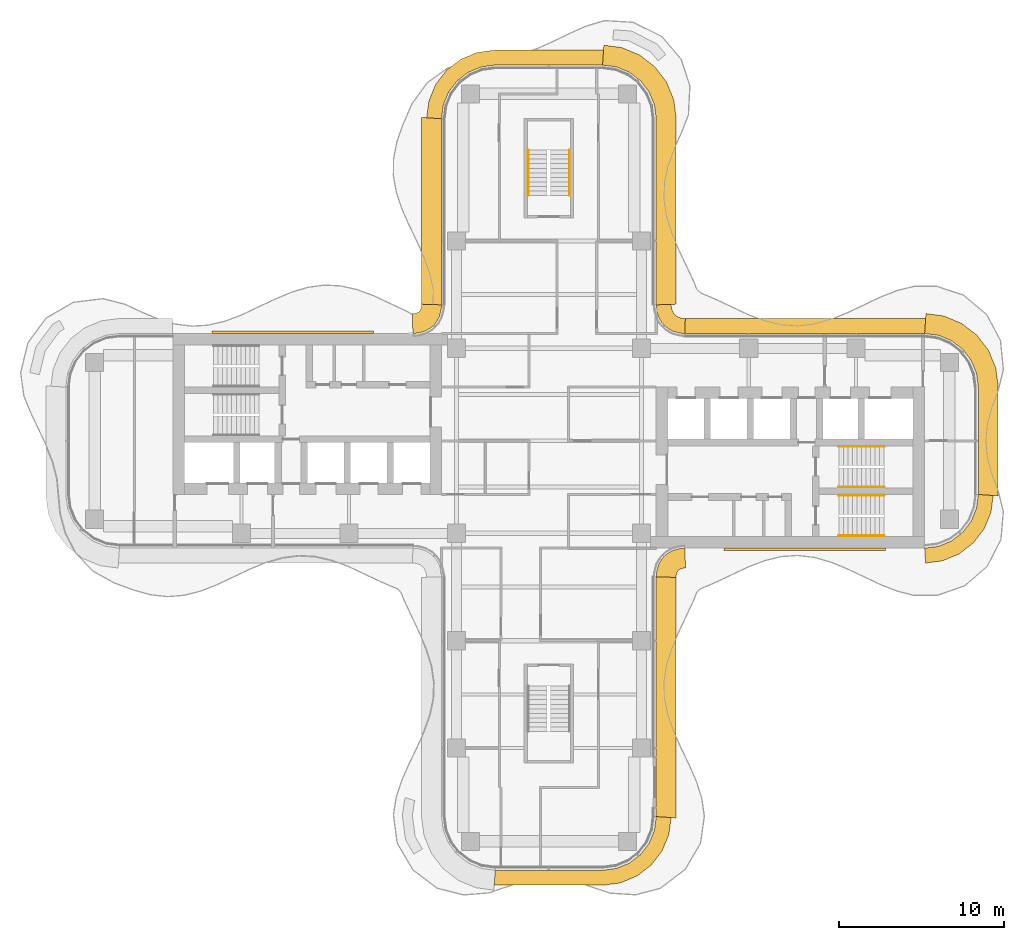
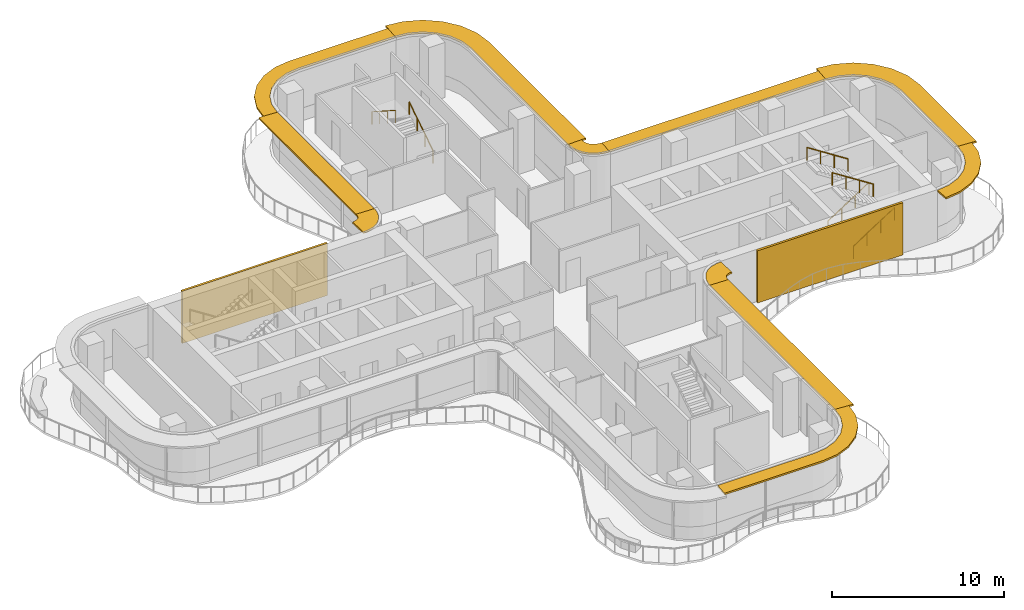
# One storey, part 17 of 17: 11 shading devices, 6 railings, 2 coverings.
"""IFC4 building model written with IfcOpenShell, lengths in metres."""

from ifc_helpers import new_model, si_unit, direction, frame, origin, origin_2d, place, context, subcontext, project, spatial, polyline, circle, outline, extrude, source, transform, mapped, material, layer, layer_set, type_object, element, save


model = new_model("IFC4")

# Units and contexts
model_context = context("Model", 3, precision=1e-05, world=origin(), true_north=direction((0.0, 1.0)))
body_context = subcontext(model_context, "Body", "Model", "MODEL_VIEW")
ifc_project = project(units=[si_unit("LENGTHUNIT", "METRE"), si_unit("AREAUNIT", "SQUARE_METRE"), si_unit("VOLUMEUNIT", "CUBIC_METRE"), si_unit("PLANEANGLEUNIT", "RADIAN"), si_unit("MASSUNIT", "GRAM", prefix="KILO")], contexts=[model_context])

# Site, building, storey
site_placement = place(None, origin())
site = spatial("IfcSite", under=ifc_project, at=site_placement, CompositionType="ELEMENT")
building_placement = place(site_placement, origin())
building = spatial("IfcBuilding", under=site, at=building_placement, Name="Trellis Farm Tower", CompositionType="ELEMENT")
storey_placement = place(building_placement, frame((0.0, 0.0, 236.300048828125)))
storey = spatial("IfcBuildingStorey", under=building, at=storey_placement, Name="L52", CompositionType="ELEMENT", Elevation=236.300048828125)

# Railings
ifc_material_1 = material(Name="Stainless steel", Category="steel")
railing_type = type_object("IfcRailingType", Name="STAIR HANDRAIL 900", PredefinedType="HANDRAIL", material=ifc_material_1)
shared_shape_1 = source(origin(), body_context, "Body", "SweptSolid", [
    extrude(circle(Radius=0.02392578125, at=origin_2d()), frame((0.0, 0.0, 0.8759765625), z_axis=(0.0, 0.840503830235, 0.541805602924), x_axis=(-1.0, 0.0, 0.0)), (0.0, 0.0, 1.0), 3.271728515625),
    extrude(circle(Radius=0.02099609375, at=origin_2d()), origin(), (0.0, 0.0, 1.0), 0.851806640625),
    extrude(circle(Radius=0.02099609375, at=origin_2d()), frame((0.0, 0.916748046875, 0.5908203125)), (0.0, 0.0, 1.0), 0.851806640625),
    extrude(circle(Radius=0.02099609375, at=origin_2d()), frame((0.0, 1.833251953125, 1.181884765625)), (0.0, 0.0, 1.0), 0.851806640625),
    extrude(circle(Radius=0.02099609375, at=origin_2d()), frame((0.0, 2.75, 1.772705078125)), (0.0, 0.0, 1.0), 0.851806640625),
])
railing_1_placement = place(storey_placement, frame((1.25, 14.85009765625, 0.17724609375)))
element("IfcRailing", 1, at=railing_1_placement, inside=storey, type_object=railing_type, Name="Stair handrail", PredefinedType="HANDRAIL", context=body_context, shape_type="MappedRepresentation", body=[
    mapped(shared_shape_1, transform((0.0, 0.0, 0.0))),
])
shared_shape_2 = source(origin(), body_context, "Body", "SweptSolid", [
    extrude(circle(Radius=0.02392578125, at=origin_2d()), frame((0.0, 0.0, 0.8759765625), z_axis=(0.0, -0.840503830235, 0.541805602924), x_axis=(1.0, 0.0, 0.0)), (0.0, 0.0, 1.0), 3.271728515625),
    extrude(circle(Radius=0.02099609375, at=origin_2d()), origin(), (0.0, 0.0, 1.0), 0.851806640625),
    extrude(circle(Radius=0.02099609375, at=origin_2d()), frame((0.0, -0.916748046875, 0.5908203125)), (0.0, 0.0, 1.0), 0.851806640625),
    extrude(circle(Radius=0.02099609375, at=origin_2d()), frame((0.0, -1.833251953125, 1.181884765625)), (0.0, 0.0, 1.0), 0.851806640625),
    extrude(circle(Radius=0.02099609375, at=origin_2d()), frame((0.0, -2.75, 1.772705078125)), (0.0, 0.0, 1.0), 0.851806640625),
])
railing_2_placement = place(storey_placement, frame((-1.25, 17.60009765625, 2.127197265625)))
element("IfcRailing", 2, at=railing_2_placement, inside=storey, type_object=railing_type, Name="Stair handrail", PredefinedType="HANDRAIL", context=body_context, shape_type="MappedRepresentation", body=[
    mapped(shared_shape_2, transform((0.0, 0.0, 0.0))),
])
shared_shape_3 = source(origin(), body_context, "Body", "SweptSolid", [
    extrude(circle(Radius=0.02392578125, at=origin_2d()), frame((0.0, 0.0, 0.8759765625), z_axis=(0.840503830235, 0.0, 0.541805602924), x_axis=(0.0, 1.0, 0.0)), (0.0, 0.0, 1.0), 3.271728515625),
    extrude(circle(Radius=0.02099609375, at=origin_2d()), origin(), (0.0, 0.0, 1.0), 0.851806640625),
    extrude(circle(Radius=0.02099609375, at=origin_2d()), frame((0.916748046875, 0.0, 0.5908203125)), (0.0, 0.0, 1.0), 0.851806640625),
    extrude(circle(Radius=0.02099609375, at=origin_2d()), frame((1.833251953125, 0.0, 1.181884765625)), (0.0, 0.0, 1.0), 0.851806640625),
    extrude(circle(Radius=0.02099609375, at=origin_2d()), frame((2.75, 0.0, 1.772705078125)), (0.0, 0.0, 1.0), 0.851806640625),
])
for number, where, name in (
    (3, (17.550048828125, -5.75, 0.17724609375), "Stair handrail"),
    (4, (17.550048828125, -2.800048828125, 0.17724609375), "Stair handrail"),
):
    element("IfcRailing", number, at=place(storey_placement, frame(where)), inside=storey, type_object=railing_type, Name=name, PredefinedType="HANDRAIL", context=body_context, shape_type="MappedRepresentation", body=[
        mapped(shared_shape_3, transform((0.0, 0.0, 0.0))),
    ])
shared_shape_4 = source(origin(), body_context, "Body", "SweptSolid", [
    extrude(circle(Radius=0.02392578125, at=origin_2d()), frame((0.0, 0.0, 0.8759765625), z_axis=(-0.840503830235, 0.0, 0.541805602924), x_axis=(0.0, -1.0, 0.0)), (0.0, 0.0, 1.0), 3.271728515625),
    extrude(circle(Radius=0.02099609375, at=origin_2d()), origin(), (0.0, 0.0, 1.0), 0.851806640625),
    extrude(circle(Radius=0.02099609375, at=origin_2d()), frame((-0.916748046875, 0.0, 0.5908203125)), (0.0, 0.0, 1.0), 0.851806640625),
    extrude(circle(Radius=0.02099609375, at=origin_2d()), frame((-1.833251953125, 0.0, 1.181884765625)), (0.0, 0.0, 1.0), 0.851806640625),
    extrude(circle(Radius=0.02099609375, at=origin_2d()), frame((-2.75, 0.0, 1.772705078125)), (0.0, 0.0, 1.0), 0.851806640625),
])
for number, where, name in (
    (5, (20.300048828125, -3.300048828125, 2.127197265625), "Stair handrail"),
    (6, (20.300048828125, -0.35009765625, 2.127197265625), "Stair handrail"),
):
    element("IfcRailing", number, at=place(storey_placement, frame(where)), inside=storey, type_object=railing_type, Name=name, PredefinedType="HANDRAIL", context=body_context, shape_type="MappedRepresentation", body=[
        mapped(shared_shape_4, transform((0.0, 0.0, 0.0))),
    ])

# Shading devices
ifc_material_2 = material(Name="Aluminium extrusion 6063-T6", Category="aluminium")
ifc_layer_1 = layer(ifc_material_2, 0.1201171875)
ifc_layer_set_1 = layer_set([ifc_layer_1], Name="SUNSHADE BLADE 1200")
shading_device_type_1 = type_object("IfcShadingDeviceType", Name="SUNSHADE BLADE 1200", PredefinedType="USERDEFINED", material=ifc_layer_set_1)
shared_shape_5 = source(origin(), body_context, "Body", "SweptSolid", [
    extrude(outline(polyline([(7.699951171875, -8.270751953125), (7.708740234375, -8.13720703125), (7.70703125, -8.150146484375), (7.7548828125, -7.9716796875), (7.80712890625, -7.881103515625), (7.881103515625, -7.80712890625), (7.9716796875, -7.7548828125), (8.150146484375, -7.70703125), (8.13720703125, -7.708740234375), (8.270751953125, -7.699951171875), (8.2314453125, -6.5), (8.01953125, -6.513916015625), (7.91552734375, -6.527587890625), (7.508544921875, -6.63671875), (7.144287109375, -6.846923828125), (6.846923828125, -7.144287109375), (6.63671875, -7.508544921875), (6.527587890625, -7.91552734375), (6.513916015625, -8.01953125), (6.5, -8.2314453125), (7.699951171875, -8.270751953125)])), origin(), (0.0, 0.0, 1.0), 0.119873046875),
])
placement_1 = place(storey_placement, frame((0.0, 0.0, 3.5400390625)))
element("IfcShadingDevice", 7, at=placement_1, inside=storey, type_object=shading_device_type_1, Name="SD2 006", ObjectType="SUNSHADE", PredefinedType="USERDEFINED", context=body_context, shape_type="MappedRepresentation", body=[
    mapped(shared_shape_5, transform((0.0, 0.0, 0.0))),
])
ifc_layer_2 = layer(ifc_material_2, 0.1201171875)
ifc_layer_set_2 = layer_set([ifc_layer_2], Name="SUNSHADE BLADE 900")
shading_device_type_2 = type_object("IfcShadingDeviceType", Name="SUNSHADE BLADE 900", PredefinedType="USERDEFINED", material=ifc_layer_set_2)
shared_shape_6 = source(origin(), body_context, "Body", "SweptSolid", [
    extrude(outline(polyline([(8.2607421875, 7.39990234375), (8.107666015625, 7.409912109375), (8.091552734375, 7.412109375), (7.85595703125, 7.475341796875), (7.697021484375, 7.567138671875), (7.567138671875, 7.697021484375), (7.475341796875, 7.85595703125), (7.412109375, 8.091552734375), (7.409912109375, 8.107666015625), (7.39990234375, 8.2607421875), (6.5, 8.2314453125), (6.513916015625, 8.01953125), (6.527587890625, 7.91552734375), (6.63671875, 7.508544921875), (6.846923828125, 7.144287109375), (7.144287109375, 6.846923828125), (7.508544921875, 6.63671875), (7.91552734375, 6.527587890625), (8.01953125, 6.513916015625), (8.2314453125, 6.5), (8.2607421875, 7.39990234375)])), origin(), (0.0, 0.0, 1.0), 0.119873046875),
])
element("IfcShadingDevice", 8, at=placement_1, inside=storey, type_object=shading_device_type_2, Name="SD1 010", ObjectType="SUNSHADE", PredefinedType="USERDEFINED", context=body_context, shape_type="MappedRepresentation", body=[
    mapped(shared_shape_6, transform((0.0, 0.0, 0.0))),
])
shared_shape_7 = source(origin(), body_context, "Body", "SweptSolid", [
    extrude(outline(polyline([(-7.699951171875, 8.270751953125), (-7.708740234375, 8.13720703125), (-7.70703125, 8.150146484375), (-7.7548828125, 7.9716796875), (-7.80712890625, 7.881103515625), (-7.881103515625, 7.80712890625), (-7.9716796875, 7.7548828125), (-8.150146484375, 7.70703125), (-8.13720703125, 7.708740234375), (-8.270751953125, 7.699951171875), (-8.2314453125, 6.5), (-8.01953125, 6.513916015625), (-7.91552734375, 6.527587890625), (-7.508544921875, 6.63671875), (-7.144287109375, 6.846923828125), (-6.846923828125, 7.144287109375), (-6.63671875, 7.508544921875), (-6.527587890625, 7.91552734375), (-6.513916015625, 8.01953125), (-6.5, 8.2314453125), (-7.699951171875, 8.270751953125)])), origin(), (0.0, 0.0, 1.0), 0.119873046875),
])
element("IfcShadingDevice", 9, at=placement_1, inside=storey, type_object=shading_device_type_1, Name="SD2 014", ObjectType="SUNSHADE", PredefinedType="USERDEFINED", context=body_context, shape_type="MappedRepresentation", body=[
    mapped(shared_shape_7, transform((0.0, 0.0, 0.0))),
])
shared_shape_8 = source(origin(), body_context, "Body", "SweptSolid", [
    extrude(outline(polyline([(-3.30908203125, -26.89990234375), (3.30908203125, -26.89990234375), (4.326171875, -26.76611328125), (5.328857421875, -26.350830078125), (6.18994140625, -25.68994140625), (6.850830078125, -24.828857421875), (7.26611328125, -23.826171875), (7.39990234375, -22.80908203125), (6.5, -22.75), (6.38916015625, -23.591064453125), (6.064697265625, -24.375), (5.548095703125, -25.048095703125), (4.875, -25.564697265625), (4.091064453125, -25.88916015625), (3.25, -26.0), (-3.25, -26.0), (-3.30908203125, -26.89990234375)])), origin(), (0.0, 0.0, 1.0), 0.119873046875),
])
element("IfcShadingDevice", 10, at=placement_1, inside=storey, type_object=shading_device_type_2, Name="SD1 004", ObjectType="SUNSHADE", PredefinedType="USERDEFINED", context=body_context, shape_type="MappedRepresentation", body=[
    mapped(shared_shape_8, transform((0.0, 0.0, 0.0))),
])
shared_shape_9 = source(origin(), body_context, "Body", "SweptSolid", [
    extrude(outline(polyline([(7.699951171875, -22.82861328125), (7.699951171875, -8.270751953125), (6.5, -8.2314453125), (6.5, -22.75), (7.699951171875, -22.82861328125)])), origin(), (0.0, 0.0, 1.0), 0.119873046875),
])
element("IfcShadingDevice", 11, at=placement_1, inside=storey, type_object=shading_device_type_1, Name="SD2 005", ObjectType="SUNSHADE", PredefinedType="USERDEFINED", context=body_context, shape_type="MappedRepresentation", body=[
    mapped(shared_shape_9, transform((0.0, 0.0, 0.0))),
])

# Covering
ifc_material_3 = material(Name="Perforated precast screen (cobogo)", Category="concrete")
ifc_layer_3 = layer(ifc_material_3, 0.14990234375)
ifc_layer_set_3 = layer_set([ifc_layer_3], Name="COBOGO SCREEN PANEL")
covering_type = type_object("IfcCoveringType", Name="COBOGO SCREEN PANEL", PredefinedType="USERDEFINED", material=ifc_layer_set_3)
shared_shape_10 = source(origin(), body_context, "Body", "SweptSolid", [
    extrude(outline(polyline([(-10.630615234375, 6.64990234375), (-20.380615234375, 6.64990234375), (-20.380615234375, 6.5), (-10.630615234375, 6.5), (-10.630615234375, 6.64990234375)])), origin(), (0.0, 0.0, 1.0), 3.699951171875),
])
placement_2 = place(storey_placement, origin())
element("IfcCovering", 12, at=placement_2, inside=storey, type_object=covering_type, Name="SC1 02", ObjectType="SCREEN", PredefinedType="USERDEFINED", context=body_context, shape_type="MappedRepresentation", body=[
    mapped(shared_shape_10, transform((0.0, 0.0, 0.0))),
])

# Shading devices
shared_shape_11 = source(origin(), body_context, "Body", "SweptSolid", [
    extrude(outline(polyline([(7.699951171875, 8.270751953125), (7.699951171875, 19.57861328125), (7.558349609375, 20.654541015625), (7.11279296875, 21.730224609375), (6.404052734375, 22.654052734375), (5.480224609375, 23.36279296875), (4.404541015625, 23.808349609375), (3.32861328125, 23.949951171875), (3.25, 22.75), (4.091064453125, 22.63916015625), (4.875, 22.314697265625), (5.548095703125, 21.798095703125), (6.064697265625, 21.125), (6.38916015625, 20.341064453125), (6.5, 19.5), (6.5, 8.2314453125), (7.699951171875, 8.270751953125)])), origin(), (0.0, 0.0, 1.0), 0.119873046875),
])
element("IfcShadingDevice", 13, at=placement_1, inside=storey, type_object=shading_device_type_1, Name="SD2 011", ObjectType="SUNSHADE", PredefinedType="USERDEFINED", context=body_context, shape_type="MappedRepresentation", body=[
    mapped(shared_shape_11, transform((0.0, 0.0, 0.0))),
])
shared_shape_12 = source(origin(), body_context, "Body", "SweptSolid", [
    extrude(outline(polyline([(3.30908203125, 23.64990234375), (-3.30908203125, 23.64990234375), (-4.326171875, 23.51611328125), (-5.328857421875, 23.100830078125), (-6.18994140625, 22.43994140625), (-6.850830078125, 21.578857421875), (-7.26611328125, 20.576171875), (-7.39990234375, 19.55908203125), (-6.5, 19.5), (-6.38916015625, 20.341064453125), (-6.064697265625, 21.125), (-5.548095703125, 21.798095703125), (-4.875, 22.314697265625), (-4.091064453125, 22.63916015625), (-3.25, 22.75), (3.25, 22.75), (3.30908203125, 23.64990234375)])), origin(), (0.0, 0.0, 1.0), 0.119873046875),
])
element("IfcShadingDevice", 14, at=placement_1, inside=storey, type_object=shading_device_type_2, Name="SD1 012", ObjectType="SUNSHADE", PredefinedType="USERDEFINED", context=body_context, shape_type="MappedRepresentation", body=[
    mapped(shared_shape_12, transform((0.0, 0.0, 0.0))),
])
shared_shape_13 = source(origin(), body_context, "Body", "SweptSolid", [
    extrude(outline(polyline([(-7.699951171875, 19.57861328125), (-7.699951171875, 8.270751953125), (-6.5, 8.2314453125), (-6.5, 19.5), (-7.699951171875, 19.57861328125)])), origin(), (0.0, 0.0, 1.0), 0.119873046875),
])
element("IfcShadingDevice", 15, at=placement_1, inside=storey, type_object=shading_device_type_1, Name="SD2 013", ObjectType="SUNSHADE", PredefinedType="USERDEFINED", context=body_context, shape_type="MappedRepresentation", body=[
    mapped(shared_shape_13, transform((0.0, 0.0, 0.0))),
])

# Covering
shared_shape_14 = source(origin(), body_context, "Body", "SweptSolid", [
    extrude(outline(polyline([(10.61572265625, -6.64990234375), (20.36572265625, -6.64990234375), (20.36572265625, -6.5), (10.61572265625, -6.5), (10.61572265625, -6.64990234375)])), origin(), (0.0, 0.0, 1.0), 3.699951171875),
])
element("IfcCovering", 16, at=placement_2, inside=storey, type_object=covering_type, Name="SC1 01", ObjectType="SCREEN", PredefinedType="USERDEFINED", context=body_context, shape_type="MappedRepresentation", body=[
    mapped(shared_shape_14, transform((0.0, 0.0, 0.0))),
])

# Shading devices
shared_shape_15 = source(origin(), body_context, "Body", "SweptSolid", [
    extrude(outline(polyline([(22.80908203125, -7.39990234375), (23.826171875, -7.26611328125), (24.828857421875, -6.850830078125), (25.68994140625, -6.18994140625), (26.350830078125, -5.328857421875), (26.76611328125, -4.326171875), (26.89990234375, -3.30908203125), (26.0, -3.25), (25.88916015625, -4.091064453125), (25.564697265625, -4.875), (25.048095703125, -5.548095703125), (24.375, -6.064697265625), (23.591064453125, -6.38916015625), (22.75, -6.5), (22.80908203125, -7.39990234375)])), origin(), (0.0, 0.0, 1.0), 0.119873046875),
])
element("IfcShadingDevice", 17, at=placement_1, inside=storey, type_object=shading_device_type_2, Name="SD1 007", ObjectType="SUNSHADE", PredefinedType="USERDEFINED", context=body_context, shape_type="MappedRepresentation", body=[
    mapped(shared_shape_15, transform((0.0, 0.0, 0.0))),
])
shared_shape_16 = source(origin(), body_context, "Body", "SweptSolid", [
    extrude(outline(polyline([(27.199951171875, -3.32861328125), (27.199951171875, 3.32861328125), (27.058349609375, 4.404541015625), (26.61279296875, 5.480224609375), (25.904052734375, 6.404052734375), (24.980224609375, 7.11279296875), (23.904541015625, 7.558349609375), (22.82861328125, 7.699951171875), (22.75, 6.5), (23.591064453125, 6.38916015625), (24.375, 6.064697265625), (25.048095703125, 5.548095703125), (25.564697265625, 4.875), (25.88916015625, 4.091064453125), (26.0, 3.25), (26.0, -3.25), (27.199951171875, -3.32861328125)])), origin(), (0.0, 0.0, 1.0), 0.119873046875),
])
element("IfcShadingDevice", 18, at=placement_1, inside=storey, type_object=shading_device_type_1, Name="SD2 008", ObjectType="SUNSHADE", PredefinedType="USERDEFINED", context=body_context, shape_type="MappedRepresentation", body=[
    mapped(shared_shape_16, transform((0.0, 0.0, 0.0))),
])
shared_shape_17 = source(origin(), body_context, "Body", "SweptSolid", [
    extrude(outline(polyline([(22.80908203125, 7.39990234375), (8.2607421875, 7.39990234375), (8.2314453125, 6.5), (22.75, 6.5), (22.80908203125, 7.39990234375)])), origin(), (0.0, 0.0, 1.0), 0.119873046875),
])
element("IfcShadingDevice", 19, at=placement_1, inside=storey, type_object=shading_device_type_2, Name="SD1 009", ObjectType="SUNSHADE", PredefinedType="USERDEFINED", context=body_context, shape_type="MappedRepresentation", body=[
    mapped(shared_shape_17, transform((0.0, 0.0, 0.0))),
])

save(model, "model.ifc")
